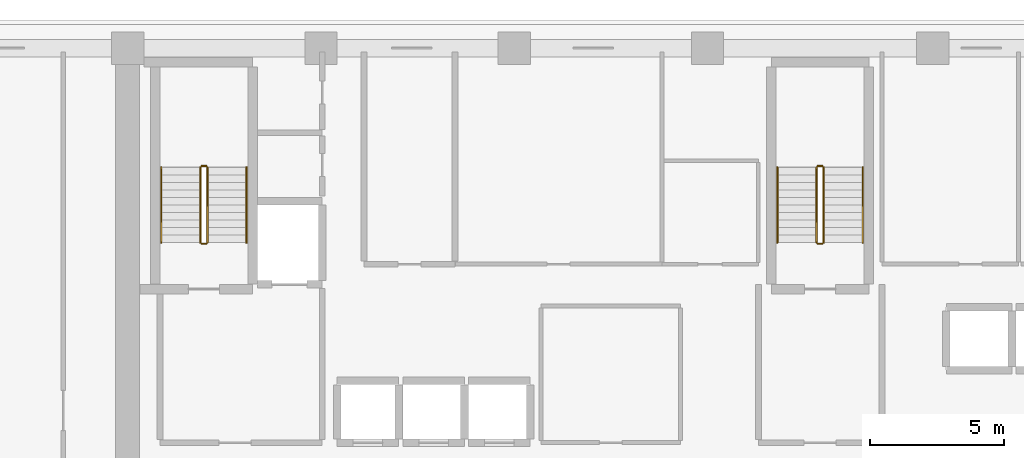
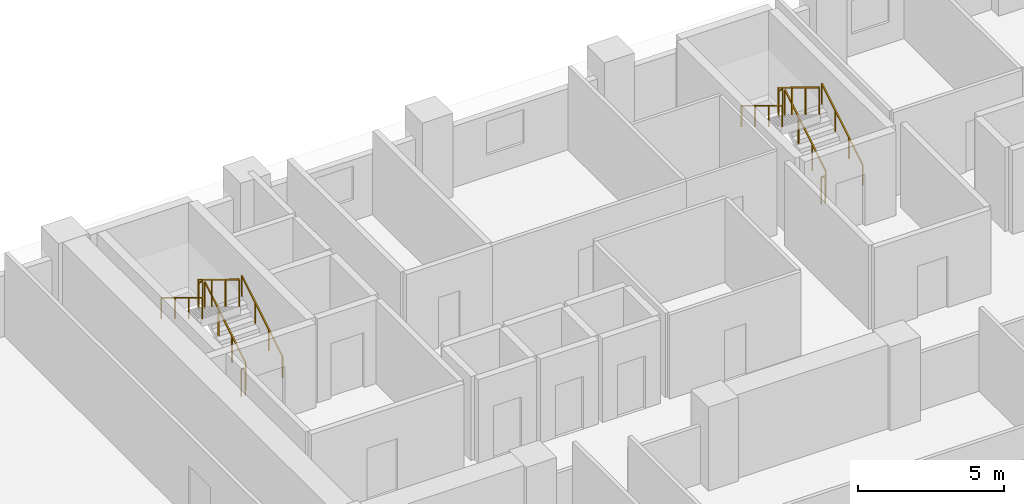
# One storey, part 12 of 14: 12 railings.
"""IFC4 building model written with IfcOpenShell, lengths in metres."""

from ifc_helpers import new_model, si_unit, direction, frame, origin, origin_2d, place, context, subcontext, project, spatial, rectangle, extrude, material, type_object, element, save


model = new_model("IFC4")

# Units and contexts
model_context = context("Model", 3, precision=1e-05, world=origin(), true_north=direction((0.0, 1.0)))
body_context = subcontext(model_context, "Body", "Model", "MODEL_VIEW")
ifc_project = project(units=[si_unit("LENGTHUNIT", "METRE"), si_unit("AREAUNIT", "SQUARE_METRE"), si_unit("VOLUMEUNIT", "CUBIC_METRE"), si_unit("PLANEANGLEUNIT", "RADIAN"), si_unit("MASSUNIT", "GRAM", prefix="KILO")], contexts=[model_context])

# Site, building, storey
site_placement = place(None, origin())
site = spatial("IfcSite", under=ifc_project, at=site_placement, CompositionType="ELEMENT")
building_placement = place(site_placement, origin())
building = spatial("IfcBuilding", under=site, at=building_placement, Name="Kaelvorn Grand Hotel", CompositionType="ELEMENT")
storey_placement = place(building_placement, frame((0.0, 0.0, 89.300048828125)))
storey = spatial("IfcBuildingStorey", under=building, at=storey_placement, Name="L20", CompositionType="ELEMENT", Elevation=89.300048828125)

# Railings
ifc_material = material(Name="Stainless Steel", Category="steel")
railing_type_1 = type_object("IfcRailingType", Name="RL-HANDRAIL-900", PredefinedType="HANDRAIL", material=ifc_material)
railing_1_placement = place(storey_placement, frame((20.6298828125, 41.760009765625, 0.17041015625)))
element("IfcRailing", 1, at=railing_1_placement, inside=storey, type_object=railing_type_1, Name="L20 ST1 stair handrail 1", PredefinedType="HANDRAIL", context=body_context, shape_type="SweptSolid", body=[
    extrude(rectangle(XDim=0.048095703125, YDim=0.048095703125, at=origin_2d()), frame((0.0, 0.0, 0.8759765625), z_axis=(0.0, 0.854169791009, 0.51999420009), x_axis=(-1.0, 0.0, 0.0)), (0.0, 0.0, 1.0), 3.278076171875),
    extrude(rectangle(XDim=0.0419921875, YDim=0.0419921875, at=origin_2d()), origin(), (0.0, 0.0, 1.0), 0.851806640625),
    extrude(rectangle(XDim=0.0419921875, YDim=0.0419921875, at=origin_2d()), frame((0.0, 0.933349609375, 0.568115234375)), (0.0, 0.0, 1.0), 0.851806640625),
    extrude(rectangle(XDim=0.0419921875, YDim=0.0419921875, at=origin_2d()), frame((0.0, 1.86669921875, 1.136474609375)), (0.0, 0.0, 1.0), 0.851806640625),
    extrude(rectangle(XDim=0.0419921875, YDim=0.0419921875, at=origin_2d()), frame((0.0, 2.800048828125, 1.70458984375)), (0.0, 0.0, 1.0), 0.851806640625),
])
railing_2_placement = place(storey_placement, frame((17.449951171875, 44.56005859375, 2.04541015625)))
element("IfcRailing", 2, at=railing_2_placement, inside=storey, type_object=railing_type_1, Name="L20 ST1 stair handrail 2", PredefinedType="HANDRAIL", context=body_context, shape_type="SweptSolid", body=[
    extrude(rectangle(XDim=0.048095703125, YDim=0.048095703125, at=origin_2d()), frame((0.0, 0.0, 0.8759765625), z_axis=(0.0, -0.854169791009, 0.51999420009), x_axis=(1.0, 0.0, 0.0)), (0.0, 0.0, 1.0), 3.278076171875),
    extrude(rectangle(XDim=0.0419921875, YDim=0.0419921875, at=origin_2d()), origin(), (0.0, 0.0, 1.0), 0.851806640625),
    extrude(rectangle(XDim=0.0419921875, YDim=0.0419921875, at=origin_2d()), frame((0.0, -0.933349609375, 0.568115234375)), (0.0, 0.0, 1.0), 0.851806640625),
    extrude(rectangle(XDim=0.0419921875, YDim=0.0419921875, at=origin_2d()), frame((0.0, -1.86669921875, 1.136474609375)), (0.0, 0.0, 1.0), 0.851806640625),
    extrude(rectangle(XDim=0.0419921875, YDim=0.0419921875, at=origin_2d()), frame((0.0, -2.800048828125, 1.70458984375)), (0.0, 0.0, 1.0), 0.851806640625),
])
railing_3_placement = place(storey_placement, frame((43.590087890625, 41.760009765625, 0.17041015625)))
element("IfcRailing", 3, at=railing_3_placement, inside=storey, type_object=railing_type_1, Name="L20 ST2 stair handrail 1", PredefinedType="HANDRAIL", context=body_context, shape_type="SweptSolid", body=[
    extrude(rectangle(XDim=0.048095703125, YDim=0.048095703125, at=origin_2d()), frame((0.0, 0.0, 0.8759765625), z_axis=(0.0, 0.854169791009, 0.51999420009), x_axis=(-1.0, 0.0, 0.0)), (0.0, 0.0, 1.0), 3.278076171875),
    extrude(rectangle(XDim=0.0419921875, YDim=0.0419921875, at=origin_2d()), origin(), (0.0, 0.0, 1.0), 0.851806640625),
    extrude(rectangle(XDim=0.0419921875, YDim=0.0419921875, at=origin_2d()), frame((0.0, 0.933349609375, 0.568115234375)), (0.0, 0.0, 1.0), 0.851806640625),
    extrude(rectangle(XDim=0.0419921875, YDim=0.0419921875, at=origin_2d()), frame((0.0, 1.86669921875, 1.136474609375)), (0.0, 0.0, 1.0), 0.851806640625),
    extrude(rectangle(XDim=0.0419921875, YDim=0.0419921875, at=origin_2d()), frame((0.0, 2.800048828125, 1.70458984375)), (0.0, 0.0, 1.0), 0.851806640625),
])
railing_4_placement = place(storey_placement, frame((40.409912109375, 44.56005859375, 2.04541015625)))
element("IfcRailing", 4, at=railing_4_placement, inside=storey, type_object=railing_type_1, Name="L20 ST2 stair handrail 2", PredefinedType="HANDRAIL", context=body_context, shape_type="SweptSolid", body=[
    extrude(rectangle(XDim=0.048095703125, YDim=0.048095703125, at=origin_2d()), frame((0.0, 0.0, 0.8759765625), z_axis=(0.0, -0.854169791009, 0.51999420009), x_axis=(1.0, 0.0, 0.0)), (0.0, 0.0, 1.0), 3.278076171875),
    extrude(rectangle(XDim=0.0419921875, YDim=0.0419921875, at=origin_2d()), origin(), (0.0, 0.0, 1.0), 0.851806640625),
    extrude(rectangle(XDim=0.0419921875, YDim=0.0419921875, at=origin_2d()), frame((0.0, -0.933349609375, 0.568115234375)), (0.0, 0.0, 1.0), 0.851806640625),
    extrude(rectangle(XDim=0.0419921875, YDim=0.0419921875, at=origin_2d()), frame((0.0, -1.86669921875, 1.136474609375)), (0.0, 0.0, 1.0), 0.851806640625),
    extrude(rectangle(XDim=0.0419921875, YDim=0.0419921875, at=origin_2d()), frame((0.0, -2.800048828125, 1.70458984375)), (0.0, 0.0, 1.0), 0.851806640625),
])
railing_type_2 = type_object("IfcRailingType", Name="RL-STAIR-GUARD-1150", PredefinedType="BALUSTRADE", material=ifc_material)
railing_5_placement = place(storey_placement, frame((19.169921875, 41.760009765625, 0.17041015625)))
element("IfcRailing", 5, at=railing_5_placement, inside=storey, type_object=railing_type_2, Name="L20 ST1 stair guard 1", PredefinedType="BALUSTRADE", context=body_context, shape_type="SweptSolid", body=[
    extrude(rectangle(XDim=0.048095703125, YDim=0.048095703125, at=origin_2d()), frame((0.0, 0.0, 1.1259765625), z_axis=(0.0, 0.854169791009, 0.51999420009), x_axis=(-1.0, 0.0, 0.0)), (0.0, 0.0, 1.0), 3.278076171875),
    extrude(rectangle(XDim=0.0419921875, YDim=0.0419921875, at=origin_2d()), origin(), (0.0, 0.0, 1.0), 1.101806640625),
    extrude(rectangle(XDim=0.0419921875, YDim=0.0419921875, at=origin_2d()), frame((0.0, 0.933349609375, 0.568115234375)), (0.0, 0.0, 1.0), 1.101806640625),
    extrude(rectangle(XDim=0.0419921875, YDim=0.0419921875, at=origin_2d()), frame((0.0, 1.86669921875, 1.136474609375)), (0.0, 0.0, 1.0), 1.101806640625),
    extrude(rectangle(XDim=0.0419921875, YDim=0.0419921875, at=origin_2d()), frame((0.0, 2.800048828125, 1.70458984375)), (0.0, 0.0, 1.0), 1.101806640625),
])
railing_6_placement = place(storey_placement, frame((19.1201171875, 44.610107421875, 1.875)))
element("IfcRailing", 6, at=railing_6_placement, inside=storey, type_object=railing_type_2, Name="L20 ST1 stair guard 2", PredefinedType="BALUSTRADE", context=body_context, shape_type="SweptSolid", body=[
    extrude(rectangle(XDim=0.048095703125, YDim=0.048095703125, at=origin_2d()), frame((0.0, 0.0, 1.1259765625), z_axis=(-1.0, 0.0, 0.0), x_axis=(0.0, -1.0, 0.0)), (0.0, 0.0, 1.0), 0.16015625),
    extrude(rectangle(XDim=0.0419921875, YDim=0.0419921875, at=origin_2d()), origin(), (0.0, 0.0, 1.0), 1.101806640625),
    extrude(rectangle(XDim=0.0419921875, YDim=0.0419921875, at=origin_2d()), frame((-0.16015625, 0.0, 0.0)), (0.0, 0.0, 1.0), 1.101806640625),
])
railing_7_placement = place(storey_placement, frame((18.909912109375, 44.56005859375, 2.04541015625)))
element("IfcRailing", 7, at=railing_7_placement, inside=storey, type_object=railing_type_2, Name="L20 ST1 stair guard 3", PredefinedType="BALUSTRADE", context=body_context, shape_type="SweptSolid", body=[
    extrude(rectangle(XDim=0.048095703125, YDim=0.048095703125, at=origin_2d()), frame((0.0, 0.0, 1.1259765625), z_axis=(0.0, -0.854169791009, 0.51999420009), x_axis=(1.0, 0.0, 0.0)), (0.0, 0.0, 1.0), 3.278076171875),
    extrude(rectangle(XDim=0.0419921875, YDim=0.0419921875, at=origin_2d()), origin(), (0.0, 0.0, 1.0), 1.101806640625),
    extrude(rectangle(XDim=0.0419921875, YDim=0.0419921875, at=origin_2d()), frame((0.0, -0.933349609375, 0.568115234375)), (0.0, 0.0, 1.0), 1.101806640625),
    extrude(rectangle(XDim=0.0419921875, YDim=0.0419921875, at=origin_2d()), frame((0.0, -1.86669921875, 1.136474609375)), (0.0, 0.0, 1.0), 1.101806640625),
    extrude(rectangle(XDim=0.0419921875, YDim=0.0419921875, at=origin_2d()), frame((0.0, -2.800048828125, 1.70458984375)), (0.0, 0.0, 1.0), 1.101806640625),
])
railing_8_placement = place(storey_placement, frame((19.1201171875, 41.7099609375, 0.0)))
element("IfcRailing", 8, at=railing_8_placement, inside=storey, type_object=railing_type_2, Name="L20 ST1 stair guard 4", PredefinedType="BALUSTRADE", context=body_context, shape_type="SweptSolid", body=[
    extrude(rectangle(XDim=0.048095703125, YDim=0.048095703125, at=origin_2d()), frame((0.0, 0.0, 1.1259765625), z_axis=(-1.0, 0.0, 0.0), x_axis=(0.0, -1.0, 0.0)), (0.0, 0.0, 1.0), 0.16015625),
    extrude(rectangle(XDim=0.0419921875, YDim=0.0419921875, at=origin_2d()), origin(), (0.0, 0.0, 1.0), 1.101806640625),
    extrude(rectangle(XDim=0.0419921875, YDim=0.0419921875, at=origin_2d()), frame((-0.16015625, 0.0, 0.0)), (0.0, 0.0, 1.0), 1.101806640625),
])
railing_9_placement = place(storey_placement, frame((42.1298828125, 41.760009765625, 0.17041015625)))
element("IfcRailing", 9, at=railing_9_placement, inside=storey, type_object=railing_type_2, Name="L20 ST2 stair guard 1", PredefinedType="BALUSTRADE", context=body_context, shape_type="SweptSolid", body=[
    extrude(rectangle(XDim=0.048095703125, YDim=0.048095703125, at=origin_2d()), frame((0.0, 0.0, 1.1259765625), z_axis=(0.0, 0.854169791009, 0.51999420009), x_axis=(-1.0, 0.0, 0.0)), (0.0, 0.0, 1.0), 3.278076171875),
    extrude(rectangle(XDim=0.0419921875, YDim=0.0419921875, at=origin_2d()), origin(), (0.0, 0.0, 1.0), 1.101806640625),
    extrude(rectangle(XDim=0.0419921875, YDim=0.0419921875, at=origin_2d()), frame((0.0, 0.933349609375, 0.568115234375)), (0.0, 0.0, 1.0), 1.101806640625),
    extrude(rectangle(XDim=0.0419921875, YDim=0.0419921875, at=origin_2d()), frame((0.0, 1.86669921875, 1.136474609375)), (0.0, 0.0, 1.0), 1.101806640625),
    extrude(rectangle(XDim=0.0419921875, YDim=0.0419921875, at=origin_2d()), frame((0.0, 2.800048828125, 1.70458984375)), (0.0, 0.0, 1.0), 1.101806640625),
])
railing_10_placement = place(storey_placement, frame((42.080078125, 44.610107421875, 1.875)))
element("IfcRailing", 10, at=railing_10_placement, inside=storey, type_object=railing_type_2, Name="L20 ST2 stair guard 2", PredefinedType="BALUSTRADE", context=body_context, shape_type="SweptSolid", body=[
    extrude(rectangle(XDim=0.048095703125, YDim=0.048095703125, at=origin_2d()), frame((0.0, 0.0, 1.1259765625), z_axis=(-1.0, 0.0, 0.0), x_axis=(0.0, -1.0, 0.0)), (0.0, 0.0, 1.0), 0.16015625),
    extrude(rectangle(XDim=0.0419921875, YDim=0.0419921875, at=origin_2d()), origin(), (0.0, 0.0, 1.0), 1.101806640625),
    extrude(rectangle(XDim=0.0419921875, YDim=0.0419921875, at=origin_2d()), frame((-0.16015625, 0.0, 0.0)), (0.0, 0.0, 1.0), 1.101806640625),
])
railing_11_placement = place(storey_placement, frame((41.8701171875, 44.56005859375, 2.04541015625)))
element("IfcRailing", 11, at=railing_11_placement, inside=storey, type_object=railing_type_2, Name="L20 ST2 stair guard 3", PredefinedType="BALUSTRADE", context=body_context, shape_type="SweptSolid", body=[
    extrude(rectangle(XDim=0.048095703125, YDim=0.048095703125, at=origin_2d()), frame((0.0, 0.0, 1.1259765625), z_axis=(0.0, -0.854169791009, 0.51999420009), x_axis=(1.0, 0.0, 0.0)), (0.0, 0.0, 1.0), 3.278076171875),
    extrude(rectangle(XDim=0.0419921875, YDim=0.0419921875, at=origin_2d()), origin(), (0.0, 0.0, 1.0), 1.101806640625),
    extrude(rectangle(XDim=0.0419921875, YDim=0.0419921875, at=origin_2d()), frame((0.0, -0.933349609375, 0.568115234375)), (0.0, 0.0, 1.0), 1.101806640625),
    extrude(rectangle(XDim=0.0419921875, YDim=0.0419921875, at=origin_2d()), frame((0.0, -1.86669921875, 1.136474609375)), (0.0, 0.0, 1.0), 1.101806640625),
    extrude(rectangle(XDim=0.0419921875, YDim=0.0419921875, at=origin_2d()), frame((0.0, -2.800048828125, 1.70458984375)), (0.0, 0.0, 1.0), 1.101806640625),
])
railing_12_placement = place(storey_placement, frame((42.080078125, 41.7099609375, 0.0)))
element("IfcRailing", 12, at=railing_12_placement, inside=storey, type_object=railing_type_2, Name="L20 ST2 stair guard 4", PredefinedType="BALUSTRADE", context=body_context, shape_type="SweptSolid", body=[
    extrude(rectangle(XDim=0.048095703125, YDim=0.048095703125, at=origin_2d()), frame((0.0, 0.0, 1.1259765625), z_axis=(-1.0, 0.0, 0.0), x_axis=(0.0, -1.0, 0.0)), (0.0, 0.0, 1.0), 0.16015625),
    extrude(rectangle(XDim=0.0419921875, YDim=0.0419921875, at=origin_2d()), origin(), (0.0, 0.0, 1.0), 1.101806640625),
    extrude(rectangle(XDim=0.0419921875, YDim=0.0419921875, at=origin_2d()), frame((-0.16015625, 0.0, 0.0)), (0.0, 0.0, 1.0), 1.101806640625),
])

save(model, "model.ifc")
